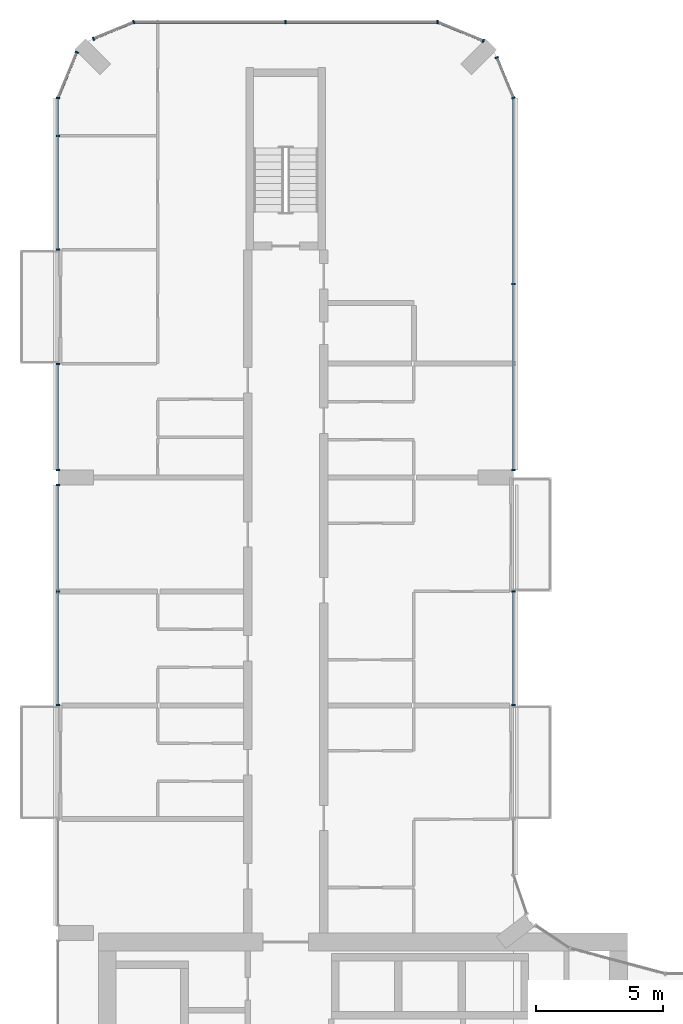
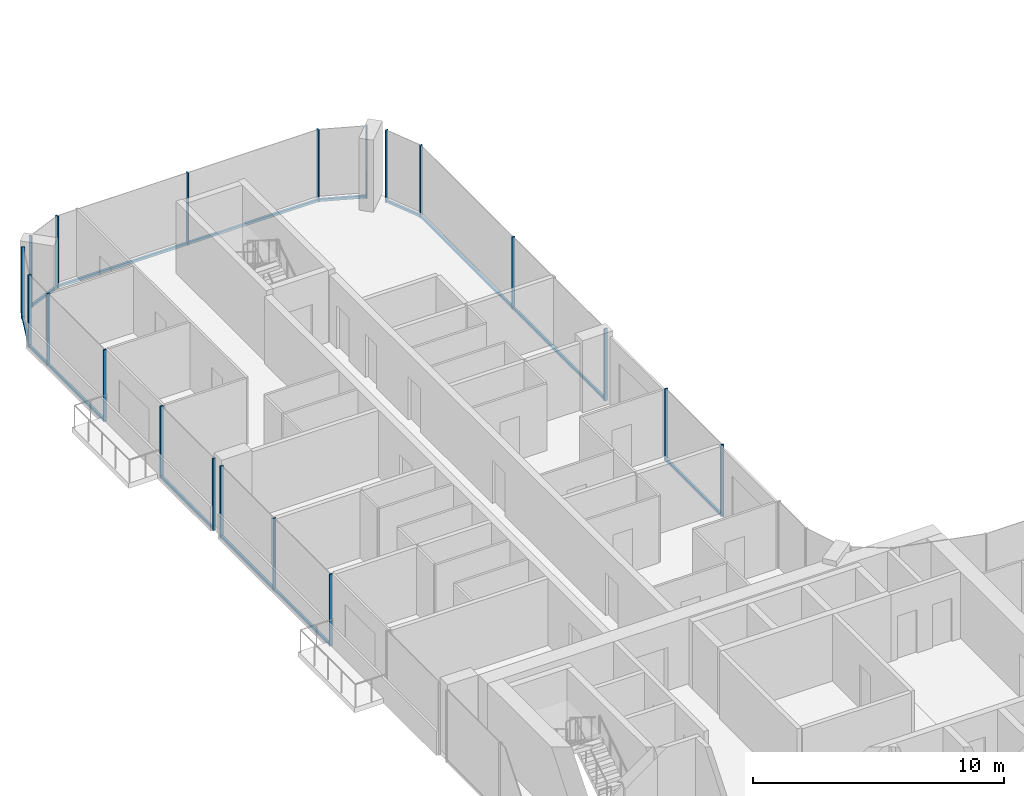
# One storey, part 6 of 23: 30 members, 10 elements without a shape of their own.
"""IFC4 building model written with IfcOpenShell, lengths in metres."""

import ifcopenshell
import ifcopenshell.guid

model = None  # the IFC model being written
_history = None  # IfcOwnerHistory: only IFC2X3 demands one
_inside = {}  # id of a spatial element -> (the spatial element, [elements in it])
_under = {}  # id of a project, library or spatial element -> (it, [spatial elements below it])
_declared = {}  # id of a project -> (the project, [libraries it declares])
_typed = {}  # id of a type object -> (the type object, [elements of that type])
_made_of = {}  # id of a material, layer set ... -> (it, [elements and type objects made of it])


def new_model(schema):
    """Start an empty IFC model of exactly this schema.

    Asked for "IFC4X3", IfcOpenShell would pick the latest addendum, in which some entities
    have other attributes; the version numbers below select the first issue.
    IFC2X3 requires an IfcOwnerHistory on every rooted entity: one is made here for all.
    """
    global model, _history
    if schema == "IFC4X3":
        model = ifcopenshell.file(schema_version=(4, 3, 0, 0))
    else:
        model = ifcopenshell.file(schema=schema)
    _inside.clear()
    _under.clear()
    _declared.clear()
    _typed.clear()
    _made_of.clear()
    _history = None
    if model.schema == "IFC2X3":
        org = make("IfcOrganization", Name="unknown")
        user = make(
            "IfcPersonAndOrganization",
            ThePerson=make("IfcPerson", FamilyName="unknown"),
            TheOrganization=org,
        )
        app = make(
            "IfcApplication",
            ApplicationDeveloper=org,
            Version="unknown",
            ApplicationFullName="unknown",
            ApplicationIdentifier="unknown",
        )
        _history = make(
            "IfcOwnerHistory",
            OwningUser=user,
            OwningApplication=app,
            ChangeAction="ADDED",
            CreationDate=0,
        )
    return model


def make(cls, **values):
    """One entity of the class cls with the attributes given. An attribute that is None is left unset."""
    return model.create_entity(
        cls, **{name: value for name, value in values.items() if value is not None}
    )


def rooted(cls, **values):
    """An entity with a GlobalId (a new one), such as an element, a storey or a relation."""
    return make(cls, GlobalId=ifcopenshell.guid.new(), OwnerHistory=_history, **values)


def si_unit(unit_type, name, prefix=None):
    """IfcSIUnit, for example si_unit("LENGTHUNIT", "METRE", prefix="MILLI")."""
    return make("IfcSIUnit", UnitType=unit_type, Prefix=prefix, Name=name)


def assignment(units):
    """IfcUnitAssignment: the units of a project."""
    return None if units is None else make("IfcUnitAssignment", Units=units)


def point(xyz):
    """IfcCartesianPoint."""
    return None if xyz is None else make("IfcCartesianPoint", Coordinates=xyz)


def direction(xyz):
    """IfcDirection."""
    return None if xyz is None else make("IfcDirection", DirectionRatios=xyz)


def frame(location, z_axis=None, x_axis=None):
    """IfcAxis2Placement3D, a coordinate frame: its origin and axes. An axis left out is left unset."""
    return make(
        "IfcAxis2Placement3D",
        Location=point(location),
        Axis=direction(z_axis),
        RefDirection=direction(x_axis),
    )


def frame_2d(location, x_axis=None):
    """IfcAxis2Placement2D, a coordinate frame in the plane: its origin and x axis."""
    return make(
        "IfcAxis2Placement2D", Location=point(location), RefDirection=direction(x_axis)
    )


def origin():
    """The frame at (0, 0, 0) with its axes left unset."""
    return frame((0.0, 0.0, 0.0))


def origin_2d():
    """The frame at (0, 0) in the plane with its x axis left unset."""
    return frame_2d((0.0, 0.0))


def place(relative_to, where):
    """IfcLocalPlacement: puts the frame where relative to a parent placement (None: the world)."""
    return make(
        "IfcLocalPlacement", PlacementRelTo=relative_to, RelativePlacement=where
    )


def context(
    kind, dimensions, precision=None, world=None, true_north=None, identifier=None
):
    """IfcGeometricRepresentationContext, for example the 3D "Model" context."""
    return make(
        "IfcGeometricRepresentationContext",
        ContextIdentifier=identifier,
        ContextType=kind,
        CoordinateSpaceDimension=dimensions,
        Precision=precision,
        WorldCoordinateSystem=world,
        TrueNorth=true_north,
    )


def subcontext(parent, identifier, kind, view, scale=None):
    """IfcGeometricRepresentationSubContext, for example "Body" below "Model"."""
    return make(
        "IfcGeometricRepresentationSubContext",
        ContextIdentifier=identifier,
        ContextType=kind,
        ParentContext=parent,
        TargetScale=scale,
        TargetView=view,
    )


def project(units=None, contexts=None):
    """IfcProject with its units and contexts."""
    return rooted(
        "IfcProject",
        Name="project",
        RepresentationContexts=contexts,
        UnitsInContext=assignment(units),
    )


def spatial(cls, under=None, at=None, **own):
    """A site, building, storey or space (cls), placed at a placement, below another one or the project."""
    s = rooted(cls, ObjectPlacement=at, **own)
    if under is not None:
        _under.setdefault(under.id(), (under, []))[1].append(s)
    return s


def profile(cls, at=None, kind="AREA", **sizes):
    """A parametric profile (cls). Its sizes go by their IFC names, for example OverallWidth=200.0."""
    return make(cls, ProfileType=kind, Position=at, **sizes)


def rectangle(**sizes):
    """IfcRectangleProfileDef."""
    return profile("IfcRectangleProfileDef", **sizes)


def extrude(swept, where, along, depth):
    """IfcExtrudedAreaSolid: the profile swept, set in the frame where, extruded along a direction by depth."""
    return make(
        "IfcExtrudedAreaSolid",
        SweptArea=swept,
        Position=where,
        ExtrudedDirection=direction(along),
        Depth=depth,
    )


def shape(context_of_items, identifier, shape_type, items):
    """IfcShapeRepresentation: the items that make up one representation, for example the "Body"."""
    return make(
        "IfcShapeRepresentation",
        ContextOfItems=context_of_items,
        RepresentationIdentifier=identifier,
        RepresentationType=shape_type,
        Items=items,
    )


def material(Name=None, Category=None):
    """IfcMaterial."""
    return make("IfcMaterial", Name=Name, Category=Category)


def layer(
    of_material, thickness, ventilated=None, Name=None, Category=None, Priority=None
):
    """IfcMaterialLayer: one layer of a wall or slab, of a material (None: an air gap)."""
    return make(
        "IfcMaterialLayer",
        Material=of_material,
        LayerThickness=thickness,
        IsVentilated=ventilated,
        Name=Name,
        Category=Category,
        Priority=Priority,
    )


def layer_set(layers, Name=None):
    """IfcMaterialLayerSet."""
    return make("IfcMaterialLayerSet", MaterialLayers=layers, LayerSetName=Name)


def material_profile(
    of_material, cross_section, Name=None, Category=None, Priority=None
):
    """IfcMaterialProfile: a cross section and its material."""
    return make(
        "IfcMaterialProfile",
        Name=Name,
        Material=of_material,
        Profile=cross_section,
        Priority=Priority,
        Category=Category,
    )


def profile_set(profiles, Name=None, composite=None):
    """IfcMaterialProfileSet."""
    return make(
        "IfcMaterialProfileSet",
        Name=Name,
        MaterialProfiles=profiles,
        CompositeProfile=composite,
    )


def made_of(thing, what):
    """Note that an element or type object is made of a material, layer set ...; save() writes the relation."""
    if what is not None:
        _made_of.setdefault(what.id(), (what, []))[1].append(thing)
    return thing


def type_object(cls, material=None, **own):
    """A type object (cls), such as IfcWallType, which elements share."""
    return made_of(rooted(cls, **own), material)


def element(
    cls,
    number,
    at=None,
    inside=None,
    cuts=None,
    type_object=None,
    material=None,
    context=None,
    identifier="Body",
    shape_type=None,
    held_by="IfcProductDefinitionShape",
    body=None,
    shapes=None,
    **own,
):
    """One element of the class cls, such as IfcWall. Its Tag is "e" and its number.

    at: its placement. inside: the storey or other place that contains it. cuts: it is an
    opening in that element (IfcRelVoidsElement). A single representation is given by context,
    identifier, shape_type and body (its items); several are given by shapes. held_by: the class
    of the entity that holds the representations. save() writes the other relations.
    """
    e = rooted(cls, Tag="e%d" % number, ObjectPlacement=at, **own)
    if body is not None:
        shapes = [shape(context, identifier, shape_type, body)]
    if shapes is not None:
        e.Representation = make(held_by, Representations=shapes)
    if inside is not None:
        _inside.setdefault(inside.id(), (inside, []))[1].append(e)
    if cuts is not None:
        rooted(
            "IfcRelVoidsElement", RelatingBuildingElement=cuts, RelatedOpeningElement=e
        )
    if type_object is not None:
        _typed.setdefault(type_object.id(), (type_object, []))[1].append(e)
    return made_of(e, material)


def aggregate(whole, parts):
    """IfcRelAggregates: a whole, such as a stair, and the parts it consists of."""
    return rooted("IfcRelAggregates", RelatingObject=whole, RelatedObjects=parts)


def save(model, path):
    """Write the relations noted so far, then the file.

    IfcRelAggregates (storeys below a building ...), IfcRelContainedInSpatialStructure (elements
    in a storey), IfcRelDefinesByType, IfcRelAssociatesMaterial and IfcRelDeclares: one each for
    every whole, place, type object, material and project.
    """
    for whole, parts in _under.values():
        aggregate(whole, parts)
    for where, things in _inside.values():
        rooted(
            "IfcRelContainedInSpatialStructure",
            RelatedElements=things,
            RelatingStructure=where,
        )
    for kind, things in _typed.values():
        rooted("IfcRelDefinesByType", RelatedObjects=things, RelatingType=kind)
    for what, things in _made_of.values():
        rooted("IfcRelAssociatesMaterial", RelatedObjects=things, RelatingMaterial=what)
    for by, libraries in _declared.values():
        rooted("IfcRelDeclares", RelatingContext=by, RelatedDefinitions=libraries)
    model.write(path)


model = new_model("IFC4")

# Units and contexts
model_context = context("Model", 3, precision=1e-05, world=origin(), true_north=direction((0.0, 1.0)))
body_context = subcontext(model_context, "Body", "Model", "MODEL_VIEW")
ifc_project = project(units=[si_unit("LENGTHUNIT", "METRE"), si_unit("AREAUNIT", "SQUARE_METRE"), si_unit("VOLUMEUNIT", "CUBIC_METRE"), si_unit("PLANEANGLEUNIT", "RADIAN"), si_unit("MASSUNIT", "GRAM", prefix="KILO")], contexts=[model_context])

# Site, building, storey
site_placement = place(None, origin())
site = spatial("IfcSite", under=ifc_project, at=site_placement, CompositionType="ELEMENT")
building_placement = place(site_placement, origin())
building = spatial("IfcBuilding", under=site, at=building_placement, Name="Plateau Cross Towers", CompositionType="ELEMENT")
storey_placement = place(building_placement, frame((0.0, 0.0, 81.800048828125)))
storey = spatial("IfcBuildingStorey", under=building, at=storey_placement, Name="L20", CompositionType="ELEMENT", Elevation=81.800048828125)

# Curtain wall, members
ifc_material_1 = material(Name="Dark low-iron glass", Category="glass")
ifc_layer = layer(ifc_material_1, 0.239990234375)
ifc_layer_set = layer_set([ifc_layer], Name="Dark low-iron glass")
curtain_wall_type = type_object("IfcCurtainWallType", Name="Curtain wall flush unitised CW-B", PredefinedType="NOTDEFINED", material=ifc_layer_set)
curtain_wall_1_placement = place(storey_placement, origin())
curtain_wall_1 = element("IfcCurtainWall", 1, at=curtain_wall_1_placement, inside=storey, type_object=curtain_wall_type, Name="ENV/A/L20/A180_270", PredefinedType="NOTDEFINED")
ifc_material_2 = material(Name="Black anodised aluminium", Category="aluminium")
ifc_material_profile_1 = material_profile(ifc_material_2, rectangle(XDim=0.06005859375, YDim=0.139892578125, at=origin_2d()), Name="MULLION 60x140")
ifc_profile_set_1 = profile_set([ifc_material_profile_1], Name="Black anodised aluminium")
member_type_1 = type_object("IfcMemberType", Name="Mullion 60x140 flush unitised", PredefinedType="MULLION", material=ifc_profile_set_1)
member_1_placement = place(storey_placement, frame((18.0, 27.010009765625, -0.25), z_axis=(0.0, 0.0, 1.0), x_axis=(0.0, 1.0, 0.0)))
member_1 = element("IfcMember", 2, at=member_1_placement, type_object=member_type_1, Name="CW-B mullion 1", PredefinedType="MULLION", context=body_context, shape_type="SweptSolid", body=[
    extrude(rectangle(XDim=0.06005859375, YDim=0.139892578125, at=origin_2d()), origin(), (0.0, 0.0, 1.0), 3.5),
])
member_2_placement = place(storey_placement, frame((18.0, 31.489990234375, -0.25), z_axis=(0.0, 0.0, 1.0), x_axis=(0.0, 1.0, 0.0)))
member_2 = element("IfcMember", 3, at=member_2_placement, type_object=member_type_1, Name="CW-B mullion 2", PredefinedType="MULLION", context=body_context, shape_type="SweptSolid", body=[
    extrude(rectangle(XDim=0.06005859375, YDim=0.139892578125, at=origin_2d()), origin(), (0.0, 0.0, 1.0), 3.5),
])

curtain_wall_2_placement = place(storey_placement, origin())
curtain_wall_2 = element("IfcCurtainWall", 4, at=curtain_wall_2_placement, inside=storey, type_object=curtain_wall_type, Name="ENV/A/L20/A180_363", PredefinedType="NOTDEFINED")
member_3_placement = place(storey_placement, frame((18.0, 36.300048828125, -0.25), z_axis=(0.0, 0.0, 1.0), x_axis=(0.0, 1.0, 0.0)))
member_3 = element("IfcMember", 5, at=member_3_placement, type_object=member_type_1, Name="CW-B mullion 1", PredefinedType="MULLION", context=body_context, shape_type="SweptSolid", body=[
    extrude(rectangle(XDim=0.06005859375, YDim=0.139892578125, at=origin_2d()), origin(), (0.0, 0.0, 1.0), 3.5),
])
member_4_placement = place(storey_placement, frame((18.0, 43.64990234375, -0.25), z_axis=(0.0, 0.0, 1.0), x_axis=(0.0, 1.0, 0.0)))
member_4 = element("IfcMember", 6, at=member_4_placement, type_object=member_type_1, Name="CW-B mullion 2", PredefinedType="MULLION", context=body_context, shape_type="SweptSolid", body=[
    extrude(rectangle(XDim=0.06005859375, YDim=0.139892578125, at=origin_2d()), origin(), (0.0, 0.0, 1.0), 3.5),
])

curtain_wall_3_placement = place(storey_placement, origin())
curtain_wall_3 = element("IfcCurtainWall", 7, at=curtain_wall_3_placement, inside=storey, type_object=curtain_wall_type, Name="ENV/A/L20/A180_510", PredefinedType="NOTDEFINED")
member_5_placement = place(storey_placement, frame((18.0, 51.0, -0.25), z_axis=(0.0, 0.0, 1.0), x_axis=(-0.382683612978, 0.923879457699, 0.0)))
member_5 = element("IfcMember", 8, at=member_5_placement, type_object=member_type_1, Name="CW-B mullion 1", PredefinedType="MULLION", context=body_context, shape_type="SweptSolid", body=[
    extrude(rectangle(XDim=0.06005859375, YDim=0.139892578125, at=origin_2d()), origin(), (0.0, 0.0, 1.0), 3.5),
])
member_6_placement = place(storey_placement, frame((17.338623046875, 52.5966796875, -0.25), z_axis=(0.0, 0.0, 1.0), x_axis=(-0.382683612978, 0.923879457699, 0.0)))
member_6 = element("IfcMember", 9, at=member_6_placement, type_object=member_type_1, Name="CW-B mullion 2", PredefinedType="MULLION", context=body_context, shape_type="SweptSolid", body=[
    extrude(rectangle(XDim=0.06005859375, YDim=0.139892578125, at=origin_2d()), origin(), (0.0, 0.0, 1.0), 3.5),
])

# Curtain wall, member
curtain_wall_4_placement = place(storey_placement, origin())
curtain_wall_4 = element("IfcCurtainWall", 10, at=curtain_wall_4_placement, inside=storey, type_object=curtain_wall_type, Name="ENV/A/L20/A168_533", PredefinedType="NOTDEFINED")
member_7_placement = place(storey_placement, frame((16.805908203125, 53.251953125, -0.25), z_axis=(0.0, 0.0, 1.0), x_axis=(-0.923879457699, 0.382683612978, 0.0)))
member_7 = element("IfcMember", 11, at=member_7_placement, type_object=member_type_1, Name="CW-B mullion 1", PredefinedType="MULLION", context=body_context, shape_type="SweptSolid", body=[
    extrude(rectangle(XDim=0.06005859375, YDim=0.139892578125, at=origin_2d()), origin(), (0.0, 0.0, 1.0), 3.5),
])

# Curtain wall, members
curtain_wall_5_placement = place(storey_placement, origin())
curtain_wall_5 = element("IfcCurtainWall", 12, at=curtain_wall_5_placement, inside=storey, type_object=curtain_wall_type, Name="ENV/A/L20/A150_540", PredefinedType="NOTDEFINED")
member_8_placement = place(storey_placement, frame((15.0, 54.0, -0.25), z_axis=(0.0, 0.0, 1.0), x_axis=(-1.0, 0.0, 0.0)))
member_8 = element("IfcMember", 13, at=member_8_placement, type_object=member_type_1, Name="CW-B mullion 1", PredefinedType="MULLION", context=body_context, shape_type="SweptSolid", body=[
    extrude(rectangle(XDim=0.06005859375, YDim=0.139892578125, at=origin_2d()), origin(), (0.0, 0.0, 1.0), 3.5),
])
member_9_placement = place(storey_placement, frame((9.0, 54.0, -0.25), z_axis=(0.0, 0.0, 1.0), x_axis=(-1.0, 0.0, 0.0)))
member_9 = element("IfcMember", 14, at=member_9_placement, type_object=member_type_1, Name="CW-B mullion 2", PredefinedType="MULLION", context=body_context, shape_type="SweptSolid", body=[
    extrude(rectangle(XDim=0.06005859375, YDim=0.139892578125, at=origin_2d()), origin(), (0.0, 0.0, 1.0), 3.5),
])

curtain_wall_6_placement = place(storey_placement, origin())
curtain_wall_6 = element("IfcCurtainWall", 15, at=curtain_wall_6_placement, inside=storey, type_object=curtain_wall_type, Name="ENV/A/L20/A30_540", PredefinedType="NOTDEFINED")
member_10_placement = place(storey_placement, frame((3.0, 54.0, -0.25), z_axis=(0.0, 0.0, 1.0), x_axis=(-0.923879457699, -0.382683612978, 0.0)))
member_10 = element("IfcMember", 16, at=member_10_placement, type_object=member_type_1, Name="CW-B mullion 1", PredefinedType="MULLION", context=body_context, shape_type="SweptSolid", body=[
    extrude(rectangle(XDim=0.06005859375, YDim=0.139892578125, at=origin_2d()), origin(), (0.0, 0.0, 1.0), 3.5),
])
member_11_placement = place(storey_placement, frame((1.4033203125, 53.338623046875, -0.25), z_axis=(0.0, 0.0, 1.0), x_axis=(-0.923879457699, -0.382683612978, 0.0)))
member_11 = element("IfcMember", 17, at=member_11_placement, type_object=member_type_1, Name="CW-B mullion 2", PredefinedType="MULLION", context=body_context, shape_type="SweptSolid", body=[
    extrude(rectangle(XDim=0.06005859375, YDim=0.139892578125, at=origin_2d()), origin(), (0.0, 0.0, 1.0), 3.5),
])

# Curtain wall, member
curtain_wall_7_placement = place(storey_placement, origin())
curtain_wall_7 = element("IfcCurtainWall", 18, at=curtain_wall_7_placement, inside=storey, type_object=curtain_wall_type, Name="ENV/A/L20/A7_528", PredefinedType="NOTDEFINED")
member_12_placement = place(storey_placement, frame((0.748046875, 52.805908203125, -0.25), z_axis=(0.0, 0.0, 1.0), x_axis=(-0.382683612978, -0.923879457699, 0.0)))
member_12 = element("IfcMember", 19, at=member_12_placement, type_object=member_type_1, Name="CW-B mullion 1", PredefinedType="MULLION", context=body_context, shape_type="SweptSolid", body=[
    extrude(rectangle(XDim=0.06005859375, YDim=0.139892578125, at=origin_2d()), origin(), (0.0, 0.0, 1.0), 3.5),
])

# Curtain wall, members
curtain_wall_8_placement = place(storey_placement, origin())
curtain_wall_8 = element("IfcCurtainWall", 20, at=curtain_wall_8_placement, inside=storey, type_object=curtain_wall_type, Name="ENV/A/L20/A0_510", PredefinedType="NOTDEFINED")
member_13_placement = place(storey_placement, frame((0.0, 51.0, -0.25), z_axis=(0.0, 0.0, 1.0), x_axis=(0.0, -1.0, 0.0)))
member_13 = element("IfcMember", 21, at=member_13_placement, type_object=member_type_1, Name="CW-B mullion 1", PredefinedType="MULLION", context=body_context, shape_type="SweptSolid", body=[
    extrude(rectangle(XDim=0.06005859375, YDim=0.139892578125, at=origin_2d()), origin(), (0.0, 0.0, 1.0), 3.5),
])
member_14_placement = place(storey_placement, frame((0.0, 49.5, -0.25), z_axis=(0.0, 0.0, 1.0), x_axis=(0.0, -1.0, 0.0)))
member_14 = element("IfcMember", 22, at=member_14_placement, type_object=member_type_1, Name="CW-B mullion 2", PredefinedType="MULLION", context=body_context, shape_type="SweptSolid", body=[
    extrude(rectangle(XDim=0.06005859375, YDim=0.139892578125, at=origin_2d()), origin(), (0.0, 0.0, 1.0), 3.5),
])
member_15_placement = place(storey_placement, frame((0.0, 45.010009765625, -0.25), z_axis=(0.0, 0.0, 1.0), x_axis=(0.0, -1.0, 0.0)))
member_15 = element("IfcMember", 23, at=member_15_placement, type_object=member_type_1, Name="CW-B mullion 3", PredefinedType="MULLION", context=body_context, shape_type="SweptSolid", body=[
    extrude(rectangle(XDim=0.06005859375, YDim=0.139892578125, at=origin_2d()), origin(), (0.0, 0.0, 1.0), 3.5),
])

curtain_wall_9_placement = place(storey_placement, origin())
curtain_wall_9 = element("IfcCurtainWall", 24, at=curtain_wall_9_placement, inside=storey, type_object=curtain_wall_type, Name="ENV/A/L20/A0_405", PredefinedType="NOTDEFINED")
member_16_placement = place(storey_placement, frame((0.0, 40.489990234375, -0.25), z_axis=(0.0, 0.0, 1.0), x_axis=(0.0, -1.0, 0.0)))
member_16 = element("IfcMember", 25, at=member_16_placement, type_object=member_type_1, Name="CW-B mullion 1", PredefinedType="MULLION", context=body_context, shape_type="SweptSolid", body=[
    extrude(rectangle(XDim=0.06005859375, YDim=0.139892578125, at=origin_2d()), origin(), (0.0, 0.0, 1.0), 3.5),
])
member_17_placement = place(storey_placement, frame((0.0, 36.300048828125, -0.25), z_axis=(0.0, 0.0, 1.0), x_axis=(0.0, -1.0, 0.0)))
member_17 = element("IfcMember", 26, at=member_17_placement, type_object=member_type_1, Name="CW-B mullion 2", PredefinedType="MULLION", context=body_context, shape_type="SweptSolid", body=[
    extrude(rectangle(XDim=0.06005859375, YDim=0.139892578125, at=origin_2d()), origin(), (0.0, 0.0, 1.0), 3.5),
])

curtain_wall_10_placement = place(storey_placement, origin())
curtain_wall_10 = element("IfcCurtainWall", 27, at=curtain_wall_10_placement, inside=storey, type_object=curtain_wall_type, Name="ENV/A/L20/A0_357", PredefinedType="NOTDEFINED")
member_18_placement = place(storey_placement, frame((0.0, 35.699951171875, -0.25), z_axis=(0.0, 0.0, 1.0), x_axis=(0.0, -1.0, 0.0)))
member_18 = element("IfcMember", 28, at=member_18_placement, type_object=member_type_1, Name="CW-B mullion 1", PredefinedType="MULLION", context=body_context, shape_type="SweptSolid", body=[
    extrude(rectangle(XDim=0.06005859375, YDim=0.139892578125, at=origin_2d()), origin(), (0.0, 0.0, 1.0), 3.5),
])
member_19_placement = place(storey_placement, frame((0.0, 31.5, -0.25), z_axis=(0.0, 0.0, 1.0), x_axis=(0.0, -1.0, 0.0)))
member_19 = element("IfcMember", 29, at=member_19_placement, type_object=member_type_1, Name="CW-B mullion 2", PredefinedType="MULLION", context=body_context, shape_type="SweptSolid", body=[
    extrude(rectangle(XDim=0.06005859375, YDim=0.139892578125, at=origin_2d()), origin(), (0.0, 0.0, 1.0), 3.5),
])
member_20_placement = place(storey_placement, frame((0.0, 27.010009765625, -0.25), z_axis=(0.0, 0.0, 1.0), x_axis=(0.0, -1.0, 0.0)))
member_20 = element("IfcMember", 30, at=member_20_placement, type_object=member_type_1, Name="CW-B mullion 3", PredefinedType="MULLION", context=body_context, shape_type="SweptSolid", body=[
    extrude(rectangle(XDim=0.06005859375, YDim=0.139892578125, at=origin_2d()), origin(), (0.0, 0.0, 1.0), 3.5),
])

# Member
ifc_material_profile_2 = material_profile(ifc_material_2, rectangle(XDim=0.10009765625, YDim=0.1201171875, at=origin_2d()), Name="TRANSOM 100x120")
ifc_profile_set_2 = profile_set([ifc_material_profile_2], Name="Black anodised aluminium")
member_type_2 = type_object("IfcMemberType", Name="Transom 100x120 flush unitised", PredefinedType="USERDEFINED", material=ifc_profile_set_2)
member_21_placement = place(storey_placement, frame((18.0, 27.010009765625, -0.18994140625), z_axis=(0.0, 1.0, 0.0), x_axis=(-1.0, 0.0, 0.0)))
member_21 = element("IfcMember", 31, at=member_21_placement, type_object=member_type_2, Name="CW-B transom", ObjectType="TRANSOM", PredefinedType="USERDEFINED", context=body_context, shape_type="SweptSolid", body=[
    extrude(rectangle(XDim=0.10009765625, YDim=0.1201171875, at=origin_2d()), origin(), (0.0, 0.0, 1.0), 4.47998046875),
])

aggregate(curtain_wall_1, [member_1, member_2, member_21])

member_22_placement = place(storey_placement, frame((18.0, 36.300048828125, -0.18994140625), z_axis=(0.0, 1.0, 0.0), x_axis=(-1.0, 0.0, 0.0)))
member_22 = element("IfcMember", 32, at=member_22_placement, type_object=member_type_2, Name="CW-B transom", ObjectType="TRANSOM", PredefinedType="USERDEFINED", context=body_context, shape_type="SweptSolid", body=[
    extrude(rectangle(XDim=0.10009765625, YDim=0.1201171875, at=origin_2d()), origin(), (0.0, 0.0, 1.0), 14.699951171875),
])

aggregate(curtain_wall_2, [member_3, member_4, member_22])

member_23_placement = place(storey_placement, frame((18.0, 51.0, -0.18994140625), z_axis=(-0.382688653628, 0.923877369776, 0.0), x_axis=(-0.923877369776, -0.382688653628, 0.0)))
member_23 = element("IfcMember", 33, at=member_23_placement, type_object=member_type_2, Name="CW-B transom", ObjectType="TRANSOM", PredefinedType="USERDEFINED", context=body_context, shape_type="SweptSolid", body=[
    extrude(rectangle(XDim=0.10009765625, YDim=0.1201171875, at=origin_2d()), origin(), (0.0, 0.0, 1.0), 1.728271484375),
])

aggregate(curtain_wall_3, [member_5, member_6, member_23])

member_24_placement = place(storey_placement, frame((16.805908203125, 53.251953125, -0.18994140625), z_axis=(-0.92387678234, 0.382690071798, 0.0), x_axis=(-0.382690071798, -0.92387678234, 0.0)))
member_24 = element("IfcMember", 34, at=member_24_placement, type_object=member_type_2, Name="CW-B transom", ObjectType="TRANSOM", PredefinedType="USERDEFINED", context=body_context, shape_type="SweptSolid", body=[
    extrude(rectangle(XDim=0.10009765625, YDim=0.1201171875, at=origin_2d()), origin(), (0.0, 0.0, 1.0), 1.95458984375),
])

aggregate(curtain_wall_4, [member_7, member_24])

member_25_placement = place(storey_placement, frame((15.0, 54.0, -0.18994140625), z_axis=(-1.0, 0.0, 0.0), x_axis=(0.0, -1.0, 0.0)))
member_25 = element("IfcMember", 35, at=member_25_placement, type_object=member_type_2, Name="CW-B transom", ObjectType="TRANSOM", PredefinedType="USERDEFINED", context=body_context, shape_type="SweptSolid", body=[
    extrude(rectangle(XDim=0.10009765625, YDim=0.1201171875, at=origin_2d()), origin(), (0.0, 0.0, 1.0), 12.0),
])

aggregate(curtain_wall_5, [member_8, member_9, member_25])

member_26_placement = place(storey_placement, frame((3.0, 54.0, -0.18994140625), z_axis=(-0.923877369776, -0.382688653628, 0.0), x_axis=(0.382688653628, -0.923877369776, 0.0)))
member_26 = element("IfcMember", 36, at=member_26_placement, type_object=member_type_2, Name="CW-B transom", ObjectType="TRANSOM", PredefinedType="USERDEFINED", context=body_context, shape_type="SweptSolid", body=[
    extrude(rectangle(XDim=0.10009765625, YDim=0.1201171875, at=origin_2d()), origin(), (0.0, 0.0, 1.0), 1.728271484375),
])

aggregate(curtain_wall_6, [member_10, member_11, member_26])

member_27_placement = place(storey_placement, frame((0.748046875, 52.805908203125, -0.18994140625), z_axis=(-0.382690071798, -0.92387678234, 0.0), x_axis=(0.92387678234, -0.382690071798, 0.0)))
member_27 = element("IfcMember", 37, at=member_27_placement, type_object=member_type_2, Name="CW-B transom", ObjectType="TRANSOM", PredefinedType="USERDEFINED", context=body_context, shape_type="SweptSolid", body=[
    extrude(rectangle(XDim=0.10009765625, YDim=0.1201171875, at=origin_2d()), origin(), (0.0, 0.0, 1.0), 1.95458984375),
])

aggregate(curtain_wall_7, [member_12, member_27])

member_28_placement = place(storey_placement, frame((0.0, 51.0, -0.18994140625), z_axis=(0.0, -1.0, 0.0), x_axis=(1.0, 0.0, 0.0)))
member_28 = element("IfcMember", 38, at=member_28_placement, type_object=member_type_2, Name="CW-B transom", ObjectType="TRANSOM", PredefinedType="USERDEFINED", context=body_context, shape_type="SweptSolid", body=[
    extrude(rectangle(XDim=0.10009765625, YDim=0.1201171875, at=origin_2d()), origin(), (0.0, 0.0, 1.0), 5.989990234375),
])

aggregate(curtain_wall_8, [member_13, member_14, member_15, member_28])

member_29_placement = place(storey_placement, frame((0.0, 40.489990234375, -0.18994140625), z_axis=(0.0, -1.0, 0.0), x_axis=(1.0, 0.0, 0.0)))
member_29 = element("IfcMember", 39, at=member_29_placement, type_object=member_type_2, Name="CW-B transom", ObjectType="TRANSOM", PredefinedType="USERDEFINED", context=body_context, shape_type="SweptSolid", body=[
    extrude(rectangle(XDim=0.10009765625, YDim=0.1201171875, at=origin_2d()), origin(), (0.0, 0.0, 1.0), 4.18994140625),
])

aggregate(curtain_wall_9, [member_16, member_17, member_29])

member_30_placement = place(storey_placement, frame((0.0, 35.699951171875, -0.18994140625), z_axis=(0.0, -1.0, 0.0), x_axis=(1.0, 0.0, 0.0)))
member_30 = element("IfcMember", 40, at=member_30_placement, type_object=member_type_2, Name="CW-B transom", ObjectType="TRANSOM", PredefinedType="USERDEFINED", context=body_context, shape_type="SweptSolid", body=[
    extrude(rectangle(XDim=0.10009765625, YDim=0.1201171875, at=origin_2d()), origin(), (0.0, 0.0, 1.0), 8.68994140625),
])

aggregate(curtain_wall_10, [member_18, member_19, member_20, member_30])

save(model, "model.ifc")
